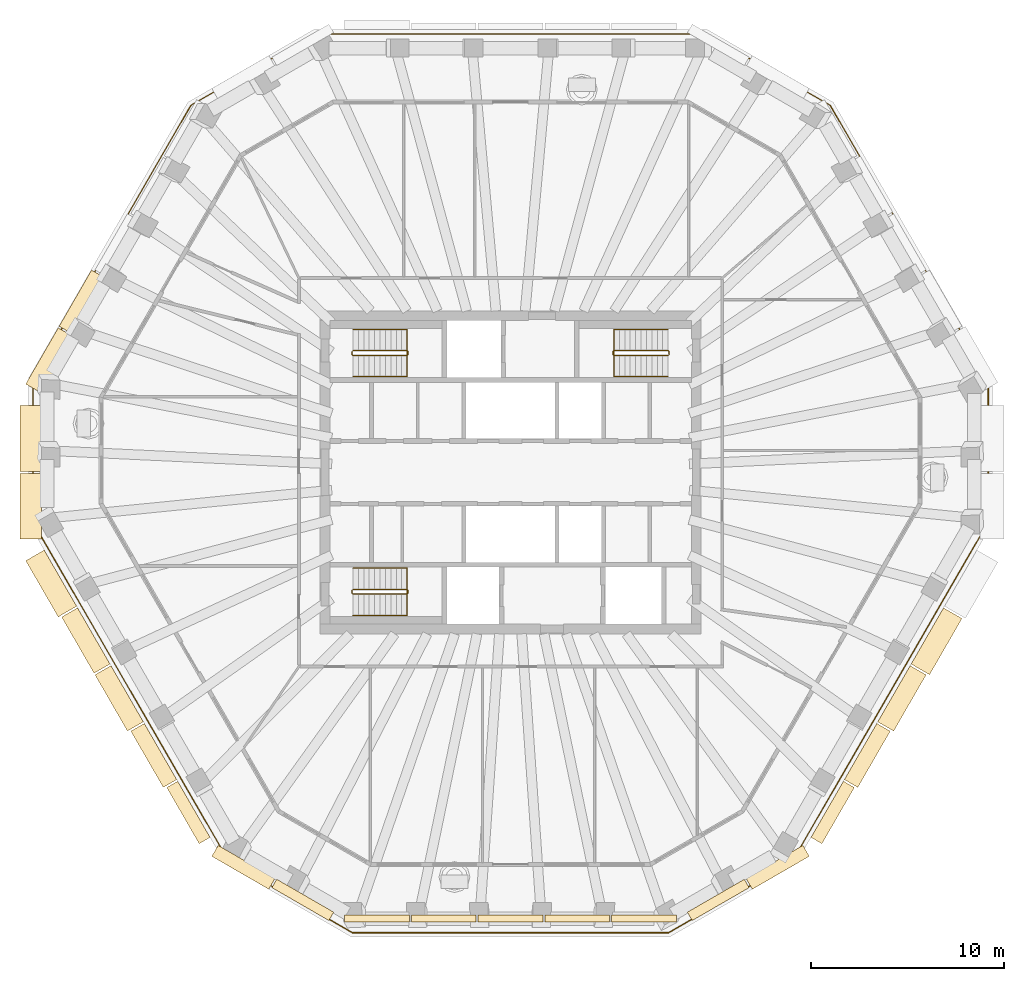
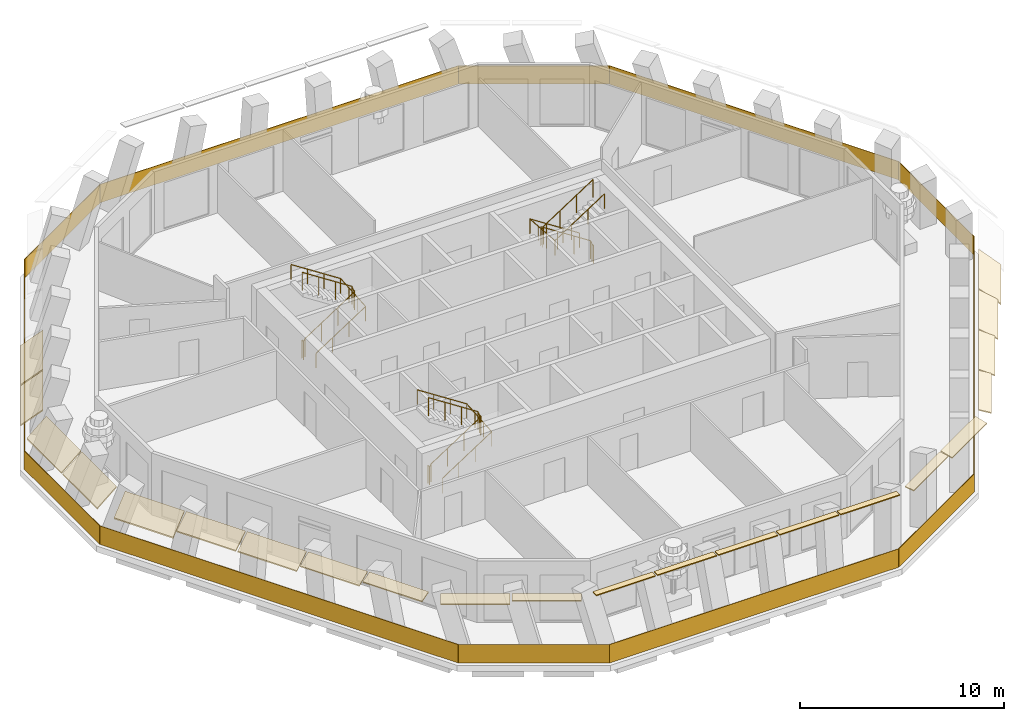
# One storey, part 8 of 11: 22 coverings, 7 railings.
"""IFC4 building model written with IfcOpenShell, lengths in metres."""

import ifcopenshell
import ifcopenshell.guid

model = None  # the IFC model being written
_history = None  # IfcOwnerHistory: only IFC2X3 demands one
_inside = {}  # id of a spatial element -> (the spatial element, [elements in it])
_under = {}  # id of a project, library or spatial element -> (it, [spatial elements below it])
_declared = {}  # id of a project -> (the project, [libraries it declares])
_typed = {}  # id of a type object -> (the type object, [elements of that type])
_made_of = {}  # id of a material, layer set ... -> (it, [elements and type objects made of it])


def new_model(schema):
    """Start an empty IFC model of exactly this schema.

    Asked for "IFC4X3", IfcOpenShell would pick the latest addendum, in which some entities
    have other attributes; the version numbers below select the first issue.
    IFC2X3 requires an IfcOwnerHistory on every rooted entity: one is made here for all.
    """
    global model, _history
    if schema == "IFC4X3":
        model = ifcopenshell.file(schema_version=(4, 3, 0, 0))
    else:
        model = ifcopenshell.file(schema=schema)
    _inside.clear()
    _under.clear()
    _declared.clear()
    _typed.clear()
    _made_of.clear()
    _history = None
    if model.schema == "IFC2X3":
        org = make("IfcOrganization", Name="unknown")
        user = make(
            "IfcPersonAndOrganization",
            ThePerson=make("IfcPerson", FamilyName="unknown"),
            TheOrganization=org,
        )
        app = make(
            "IfcApplication",
            ApplicationDeveloper=org,
            Version="unknown",
            ApplicationFullName="unknown",
            ApplicationIdentifier="unknown",
        )
        _history = make(
            "IfcOwnerHistory",
            OwningUser=user,
            OwningApplication=app,
            ChangeAction="ADDED",
            CreationDate=0,
        )
    return model


def make(cls, **values):
    """One entity of the class cls with the attributes given. An attribute that is None is left unset."""
    return model.create_entity(
        cls, **{name: value for name, value in values.items() if value is not None}
    )


def rooted(cls, **values):
    """An entity with a GlobalId (a new one), such as an element, a storey or a relation."""
    return make(cls, GlobalId=ifcopenshell.guid.new(), OwnerHistory=_history, **values)


def si_unit(unit_type, name, prefix=None):
    """IfcSIUnit, for example si_unit("LENGTHUNIT", "METRE", prefix="MILLI")."""
    return make("IfcSIUnit", UnitType=unit_type, Prefix=prefix, Name=name)


def assignment(units):
    """IfcUnitAssignment: the units of a project."""
    return None if units is None else make("IfcUnitAssignment", Units=units)


def point(xyz):
    """IfcCartesianPoint."""
    return None if xyz is None else make("IfcCartesianPoint", Coordinates=xyz)


def direction(xyz):
    """IfcDirection."""
    return None if xyz is None else make("IfcDirection", DirectionRatios=xyz)


def frame(location, z_axis=None, x_axis=None):
    """IfcAxis2Placement3D, a coordinate frame: its origin and axes. An axis left out is left unset."""
    return make(
        "IfcAxis2Placement3D",
        Location=point(location),
        Axis=direction(z_axis),
        RefDirection=direction(x_axis),
    )


def frame_2d(location, x_axis=None):
    """IfcAxis2Placement2D, a coordinate frame in the plane: its origin and x axis."""
    return make(
        "IfcAxis2Placement2D", Location=point(location), RefDirection=direction(x_axis)
    )


def origin():
    """The frame at (0, 0, 0) with its axes left unset."""
    return frame((0.0, 0.0, 0.0))


def origin_2d():
    """The frame at (0, 0) in the plane with its x axis left unset."""
    return frame_2d((0.0, 0.0))


def place(relative_to, where):
    """IfcLocalPlacement: puts the frame where relative to a parent placement (None: the world)."""
    return make(
        "IfcLocalPlacement", PlacementRelTo=relative_to, RelativePlacement=where
    )


def context(
    kind, dimensions, precision=None, world=None, true_north=None, identifier=None
):
    """IfcGeometricRepresentationContext, for example the 3D "Model" context."""
    return make(
        "IfcGeometricRepresentationContext",
        ContextIdentifier=identifier,
        ContextType=kind,
        CoordinateSpaceDimension=dimensions,
        Precision=precision,
        WorldCoordinateSystem=world,
        TrueNorth=true_north,
    )


def subcontext(parent, identifier, kind, view, scale=None):
    """IfcGeometricRepresentationSubContext, for example "Body" below "Model"."""
    return make(
        "IfcGeometricRepresentationSubContext",
        ContextIdentifier=identifier,
        ContextType=kind,
        ParentContext=parent,
        TargetScale=scale,
        TargetView=view,
    )


def project(units=None, contexts=None):
    """IfcProject with its units and contexts."""
    return rooted(
        "IfcProject",
        Name="project",
        RepresentationContexts=contexts,
        UnitsInContext=assignment(units),
    )


def spatial(cls, under=None, at=None, **own):
    """A site, building, storey or space (cls), placed at a placement, below another one or the project."""
    s = rooted(cls, ObjectPlacement=at, **own)
    if under is not None:
        _under.setdefault(under.id(), (under, []))[1].append(s)
    return s


def polyline(points):
    """IfcPolyline through the points."""
    return make("IfcPolyline", Points=[point(p) for p in points])


def profile(cls, at=None, kind="AREA", **sizes):
    """A parametric profile (cls). Its sizes go by their IFC names, for example OverallWidth=200.0."""
    return make(cls, ProfileType=kind, Position=at, **sizes)


def rectangle(**sizes):
    """IfcRectangleProfileDef."""
    return profile("IfcRectangleProfileDef", **sizes)


def circle(**sizes):
    """IfcCircleProfileDef."""
    return profile("IfcCircleProfileDef", **sizes)


def outline(outer, holes=None, kind="AREA"):
    """IfcArbitraryClosedProfileDef: a profile drawn as a closed curve; with holes, ...WithVoids."""
    if holes is None:
        return make("IfcArbitraryClosedProfileDef", ProfileType=kind, OuterCurve=outer)
    return make(
        "IfcArbitraryProfileDefWithVoids",
        ProfileType=kind,
        OuterCurve=outer,
        InnerCurves=holes,
    )


def extrude(swept, where, along, depth):
    """IfcExtrudedAreaSolid: the profile swept, set in the frame where, extruded along a direction by depth."""
    return make(
        "IfcExtrudedAreaSolid",
        SweptArea=swept,
        Position=where,
        ExtrudedDirection=direction(along),
        Depth=depth,
    )


def shape(context_of_items, identifier, shape_type, items):
    """IfcShapeRepresentation: the items that make up one representation, for example the "Body"."""
    return make(
        "IfcShapeRepresentation",
        ContextOfItems=context_of_items,
        RepresentationIdentifier=identifier,
        RepresentationType=shape_type,
        Items=items,
    )


def material(Name=None, Category=None):
    """IfcMaterial."""
    return make("IfcMaterial", Name=Name, Category=Category)


def layer(
    of_material, thickness, ventilated=None, Name=None, Category=None, Priority=None
):
    """IfcMaterialLayer: one layer of a wall or slab, of a material (None: an air gap)."""
    return make(
        "IfcMaterialLayer",
        Material=of_material,
        LayerThickness=thickness,
        IsVentilated=ventilated,
        Name=Name,
        Category=Category,
        Priority=Priority,
    )


def layer_set(layers, Name=None):
    """IfcMaterialLayerSet."""
    return make("IfcMaterialLayerSet", MaterialLayers=layers, LayerSetName=Name)


def made_of(thing, what):
    """Note that an element or type object is made of a material, layer set ...; save() writes the relation."""
    if what is not None:
        _made_of.setdefault(what.id(), (what, []))[1].append(thing)
    return thing


def type_object(cls, material=None, **own):
    """A type object (cls), such as IfcWallType, which elements share."""
    return made_of(rooted(cls, **own), material)


def element(
    cls,
    number,
    at=None,
    inside=None,
    cuts=None,
    type_object=None,
    material=None,
    context=None,
    identifier="Body",
    shape_type=None,
    held_by="IfcProductDefinitionShape",
    body=None,
    shapes=None,
    **own,
):
    """One element of the class cls, such as IfcWall. Its Tag is "e" and its number.

    at: its placement. inside: the storey or other place that contains it. cuts: it is an
    opening in that element (IfcRelVoidsElement). A single representation is given by context,
    identifier, shape_type and body (its items); several are given by shapes. held_by: the class
    of the entity that holds the representations. save() writes the other relations.
    """
    e = rooted(cls, Tag="e%d" % number, ObjectPlacement=at, **own)
    if body is not None:
        shapes = [shape(context, identifier, shape_type, body)]
    if shapes is not None:
        e.Representation = make(held_by, Representations=shapes)
    if inside is not None:
        _inside.setdefault(inside.id(), (inside, []))[1].append(e)
    if cuts is not None:
        rooted(
            "IfcRelVoidsElement", RelatingBuildingElement=cuts, RelatedOpeningElement=e
        )
    if type_object is not None:
        _typed.setdefault(type_object.id(), (type_object, []))[1].append(e)
    return made_of(e, material)


def aggregate(whole, parts):
    """IfcRelAggregates: a whole, such as a stair, and the parts it consists of."""
    return rooted("IfcRelAggregates", RelatingObject=whole, RelatedObjects=parts)


def save(model, path):
    """Write the relations noted so far, then the file.

    IfcRelAggregates (storeys below a building ...), IfcRelContainedInSpatialStructure (elements
    in a storey), IfcRelDefinesByType, IfcRelAssociatesMaterial and IfcRelDeclares: one each for
    every whole, place, type object, material and project.
    """
    for whole, parts in _under.values():
        aggregate(whole, parts)
    for where, things in _inside.values():
        rooted(
            "IfcRelContainedInSpatialStructure",
            RelatedElements=things,
            RelatingStructure=where,
        )
    for kind, things in _typed.values():
        rooted("IfcRelDefinesByType", RelatedObjects=things, RelatingType=kind)
    for what, things in _made_of.values():
        rooted("IfcRelAssociatesMaterial", RelatedObjects=things, RelatingMaterial=what)
    for by, libraries in _declared.values():
        rooted("IfcRelDeclares", RelatingContext=by, RelatedDefinitions=libraries)
    model.write(path)


model = new_model("IFC4")

# Units and contexts
model_context = context("Model", 3, precision=1e-05, world=origin(), true_north=direction((0.0, 1.0)))
body_context = subcontext(model_context, "Body", "Model", "MODEL_VIEW")
ifc_project = project(units=[si_unit("LENGTHUNIT", "METRE"), si_unit("AREAUNIT", "SQUARE_METRE"), si_unit("VOLUMEUNIT", "CUBIC_METRE"), si_unit("PLANEANGLEUNIT", "RADIAN"), si_unit("MASSUNIT", "GRAM", prefix="KILO")], contexts=[model_context])

# Site, building, storey
site_placement = place(None, origin())
site = spatial("IfcSite", under=ifc_project, at=site_placement, CompositionType="ELEMENT")
building_placement = place(site_placement, origin())
building = spatial("IfcBuilding", under=site, at=building_placement, Name="Frailejon Research Tower", CompositionType="ELEMENT")
storey_placement = place(building_placement, frame((0.0, 0.0, 299.0)))
storey = spatial("IfcBuildingStorey", under=building, at=storey_placement, Name="L66", CompositionType="ELEMENT", Elevation=299.0)

# Coverings
ifc_material_1 = material(Name="Precast concrete C50/60", Category="concrete")
ifc_layer_1 = layer(ifc_material_1, 0.06005859375)
ifc_layer_set_1 = layer_set([ifc_layer_1], Name="Brim blade depth 1100")
covering_type_1 = type_object("IfcCoveringType", Name="Brim blade depth 1100", PredefinedType="CLADDING", material=ifc_layer_set_1)
for number, where, z_axis, x_axis, name in (
    (1, (-22.395751953125, 7.009521484375, 3.85009765625), (0.499996648023, 0.86602733904, 0.0), (-0.86602733904, 0.499996648023, 0.0), "Brim blade L66"),
    (2, (-24.12158203125, 4.020263671875, 3.85009765625), (0.499996648023, 0.86602733904, 0.0), (-0.86602733904, 0.499996648023, 0.0), "Brim blade L66"),
):
    element("IfcCovering", number, at=place(storey_placement, frame(where, z_axis=z_axis, x_axis=x_axis)), inside=storey, type_object=covering_type_1, Name=name, PredefinedType="CLADDING", context=body_context, shape_type="SweptSolid", body=[
        extrude(outline(polyline([(0.0, -0.078369140625), (1.10009765625, -1.001220703125), (1.10009765625, -0.923095703125), (0.0, 0.0), (0.0, -0.078369140625)])), origin(), (0.0, 0.0, 1.0), 3.3515625),
    ])
for number, where, z_axis, x_axis, name in (
    (3, (-24.273681640625, 0.050048828125, 3.85009765625), (0.0, 1.0, 0.0), (-1.0, 0.0, 0.0), "Brim blade L66"),
    (4, (-24.273681640625, -3.451904296875, 3.85009765625), (0.0, 1.0, 0.0), (-1.0, 0.0, 0.0), "Brim blade L66"),
):
    element("IfcCovering", number, at=place(storey_placement, frame(where, z_axis=z_axis, x_axis=x_axis)), inside=storey, type_object=covering_type_1, Name=name, PredefinedType="CLADDING", context=body_context, shape_type="SweptSolid", body=[
        extrude(outline(polyline([(0.0, -0.078369140625), (1.10009765625, -1.001220703125), (1.10009765625, -0.923095703125), (0.0, 0.0), (0.0, -0.078369140625)])), origin(), (0.0, 0.0, 1.0), 3.402099609375),
    ])
for number, where, z_axis, x_axis, name in (
    (5, (-22.44580078125, -6.9228515625, 3.85009765625), (-0.499996648023, 0.86602733904, 0.0), (-0.86602733904, -0.499996648023, 0.0), "Brim blade L66"),
    (6, (22.395751953125, -7.009521484375, 3.85009765625), (-0.499996648023, -0.86602733904, 0.0), (0.86602733904, -0.499996648023, 0.0), "Brim blade L66"),
):
    element("IfcCovering", number, at=place(storey_placement, frame(where, z_axis=z_axis, x_axis=x_axis)), inside=storey, type_object=covering_type_1, Name=name, PredefinedType="CLADDING", context=body_context, shape_type="SweptSolid", body=[
        extrude(outline(polyline([(0.0, -0.078369140625), (1.10009765625, -1.001220703125), (1.10009765625, -0.923095703125), (0.0, 0.0), (0.0, -0.078369140625)])), origin(), (0.0, 0.0, 1.0), 3.3515625),
    ])
ifc_material_2 = material(Name="Precast concrete C50/60", Category="concrete")
ifc_layer_2 = layer(ifc_material_2, 0.06005859375)
ifc_layer_set_2 = layer_set([ifc_layer_2], Name="Brim blade depth 350")
covering_type_2 = type_object("IfcCoveringType", Name="Brim blade depth 350", PredefinedType="CLADDING", material=ifc_layer_set_2)
covering_1_placement = place(storey_placement, frame((-5.2275390625, -22.89990234375, 3.85009765625), z_axis=(-1.0, 0.0, 0.0), x_axis=(0.0, -1.0, 0.0)))
element("IfcCovering", 7, at=covering_1_placement, inside=storey, type_object=covering_type_2, Name="Brim blade L66", PredefinedType="CLADDING", context=body_context, shape_type="SweptSolid", body=[
    extrude(outline(polyline([(0.0, -0.06005859375), (0.35009765625, -0.06005859375), (0.35009765625, 0.0), (0.0, 0.0), (0.0, -0.06005859375)])), origin(), (0.0, 0.0, 1.0), 3.3515625),
])
covering_2_placement = place(storey_placement, frame((-1.77587890625, -22.89990234375, 3.85009765625), z_axis=(-1.0, 0.0, 0.0), x_axis=(0.0, -1.0, 0.0)))
element("IfcCovering", 8, at=covering_2_placement, inside=storey, type_object=covering_type_2, Name="Brim blade L66", PredefinedType="CLADDING", context=body_context, shape_type="SweptSolid", body=[
    extrude(outline(polyline([(0.0, -0.06005859375), (0.35009765625, -0.06005859375), (0.35009765625, 0.0), (0.0, 0.0), (0.0, -0.06005859375)])), origin(), (0.0, 0.0, 1.0), 3.351806640625),
])
covering_3_placement = place(storey_placement, frame((1.67578125, -22.89990234375, 3.85009765625), z_axis=(-1.0, 0.0, 0.0), x_axis=(0.0, -1.0, 0.0)))
element("IfcCovering", 9, at=covering_3_placement, inside=storey, type_object=covering_type_2, Name="Brim blade L66", PredefinedType="CLADDING", context=body_context, shape_type="SweptSolid", body=[
    extrude(outline(polyline([(0.0, -0.06005859375), (0.35009765625, -0.06005859375), (0.35009765625, 0.0), (0.0, 0.0), (0.0, -0.06005859375)])), origin(), (0.0, 0.0, 1.0), 3.3515625),
])
covering_4_placement = place(storey_placement, frame((5.12744140625, -22.89990234375, 3.85009765625), z_axis=(-1.0, 0.0, 0.0), x_axis=(0.0, -1.0, 0.0)))
element("IfcCovering", 10, at=covering_4_placement, inside=storey, type_object=covering_type_2, Name="Brim blade L66", PredefinedType="CLADDING", context=body_context, shape_type="SweptSolid", body=[
    extrude(outline(polyline([(0.0, -0.06005859375), (0.35009765625, -0.06005859375), (0.35009765625, 0.0), (0.0, 0.0), (0.0, -0.06005859375)])), origin(), (0.0, 0.0, 1.0), 3.351806640625),
])
covering_5_placement = place(storey_placement, frame((8.5791015625, -22.89990234375, 3.85009765625), z_axis=(-1.0, 0.0, 0.0), x_axis=(0.0, -1.0, 0.0)))
element("IfcCovering", 11, at=covering_5_placement, inside=storey, type_object=covering_type_2, Name="Brim blade L66", PredefinedType="CLADDING", context=body_context, shape_type="SweptSolid", body=[
    extrude(outline(polyline([(0.0, -0.06005859375), (0.35009765625, -0.06005859375), (0.35009765625, 0.0), (0.0, 0.0), (0.0, -0.06005859375)])), origin(), (0.0, 0.0, 1.0), 3.3515625),
])
ifc_material_3 = material(Name="Precast concrete C50/60", Category="concrete")
ifc_layer_3 = layer(ifc_material_3, 0.06005859375)
ifc_layer_set_3 = layer_set([ifc_layer_3], Name="Brim blade depth 500")
covering_type_3 = type_object("IfcCoveringType", Name="Brim blade depth 500", PredefinedType="CLADDING", material=ifc_layer_set_3)
for number, where, z_axis, x_axis, name in (
    (12, (-9.1474609375, -22.747802734375, 3.85009765625), (-0.866023907216, 0.500002592124, 0.0), (-0.500002592124, -0.866023907216, 0.0), "Brim blade L66"),
    (13, (12.093505859375, -21.046630859375, 3.85009765625), (-0.866023907216, -0.500002592124, 0.0), (0.500002592124, -0.866023907216, 0.0), "Brim blade L66"),
):
    element("IfcCovering", number, at=place(storey_placement, frame(where, z_axis=z_axis, x_axis=x_axis)), inside=storey, type_object=covering_type_3, Name=name, PredefinedType="CLADDING", context=body_context, shape_type="SweptSolid", body=[
        extrude(outline(polyline([(0.0, -0.060546875), (0.5, -0.130859375), (0.5, -0.0703125), (0.0, 0.0), (0.0, -0.060546875)])), origin(), (0.0, 0.0, 1.0), 3.402099609375),
    ])
ifc_material_4 = material(Name="Precast concrete C50/60", Category="concrete")
ifc_layer_4 = layer(ifc_material_4, 0.06005859375)
ifc_layer_set_4 = layer_set([ifc_layer_4], Name="Brim blade depth 650")
covering_type_4 = type_object("IfcCoveringType", Name="Brim blade depth 650", PredefinedType="CLADDING", material=ifc_layer_set_4)
covering_6_placement = place(storey_placement, frame((-15.54248046875, -18.879638671875, 3.85009765625), z_axis=(-0.499996648023, 0.86602733904, 0.0), x_axis=(-0.86602733904, -0.499996648023, 0.0)))
element("IfcCovering", 14, at=covering_6_placement, inside=storey, type_object=covering_type_4, Name="Brim blade L66", PredefinedType="CLADDING", context=body_context, shape_type="SweptSolid", body=[
    extrude(outline(polyline([(0.0, -0.0625), (0.64990234375, -0.248779296875), (0.64990234375, -0.186279296875), (0.0, 0.0), (0.0, -0.0625)])), origin(), (0.0, 0.0, 1.0), 3.3515625),
])
for number, where, z_axis, x_axis, name in (
    (15, (-12.18017578125, -20.99658203125, 3.85009765625), (-0.866023907216, 0.500002592124, 0.0), (-0.500002592124, -0.866023907216, 0.0), "Brim blade L66"),
    (16, (15.12646484375, -19.295654296875, 3.85009765625), (-0.866023907216, -0.500002592124, 0.0), (0.500002592124, -0.866023907216, 0.0), "Brim blade L66"),
):
    element("IfcCovering", number, at=place(storey_placement, frame(where, z_axis=z_axis, x_axis=x_axis)), inside=storey, type_object=covering_type_4, Name=name, PredefinedType="CLADDING", context=body_context, shape_type="SweptSolid", body=[
        extrude(outline(polyline([(0.0, -0.0625), (0.64990234375, -0.248779296875), (0.64990234375, -0.186279296875), (0.0, 0.0), (0.0, -0.0625)])), origin(), (0.0, 0.0, 1.0), 3.402099609375),
    ])
covering_7_placement = place(storey_placement, frame((17.21826171875, -15.97705078125, 3.85009765625), z_axis=(-0.499996648023, -0.86602733904, 0.0), x_axis=(0.86602733904, -0.499996648023, 0.0)))
element("IfcCovering", 17, at=covering_7_placement, inside=storey, type_object=covering_type_4, Name="Brim blade L66", PredefinedType="CLADDING", context=body_context, shape_type="SweptSolid", body=[
    extrude(outline(polyline([(0.0, -0.0625), (0.64990234375, -0.248779296875), (0.64990234375, -0.186279296875), (0.0, 0.0), (0.0, -0.0625)])), origin(), (0.0, 0.0, 1.0), 3.3515625),
])
ifc_material_5 = material(Name="Precast concrete C50/60", Category="concrete")
ifc_layer_5 = layer(ifc_material_5, 0.06005859375)
ifc_layer_set_5 = layer_set([ifc_layer_5], Name="Brim blade depth 800")
covering_type_5 = type_object("IfcCoveringType", Name="Brim blade depth 800", PredefinedType="CLADDING", material=ifc_layer_set_5)
for number, where, z_axis, x_axis, name in (
    (18, (-17.268310546875, -15.890380859375, 3.85009765625), (-0.499996648023, 0.86602733904, 0.0), (-0.86602733904, -0.499996648023, 0.0), "Brim blade L66"),
    (19, (18.944091796875, -12.98779296875, 3.85009765625), (-0.499996648023, -0.86602733904, 0.0), (0.86602733904, -0.499996648023, 0.0), "Brim blade L66"),
):
    element("IfcCovering", number, at=place(storey_placement, frame(where, z_axis=z_axis, x_axis=x_axis)), inside=storey, type_object=covering_type_5, Name=name, PredefinedType="CLADDING", context=body_context, shape_type="SweptSolid", body=[
        extrude(outline(polyline([(0.0, -0.065673828125), (0.800048828125, -0.421875), (0.800048828125, -0.356201171875), (0.0, 0.0), (0.0, -0.065673828125)])), origin(), (0.0, 0.0, 1.0), 3.3515625),
    ])
ifc_material_6 = material(Name="Precast concrete C50/60", Category="concrete")
ifc_layer_6 = layer(ifc_material_6, 0.06005859375)
ifc_layer_set_6 = layer_set([ifc_layer_6], Name="Brim blade depth 950")
covering_type_6 = type_object("IfcCoveringType", Name="Brim blade depth 950", PredefinedType="CLADDING", material=ifc_layer_set_6)
covering_8_placement = place(storey_placement, frame((-20.719970703125, -9.912109375, 3.85009765625), z_axis=(-0.499996648023, 0.86602733904, 0.0), x_axis=(-0.86602733904, -0.499996648023, 0.0)))
element("IfcCovering", 20, at=covering_8_placement, inside=storey, type_object=covering_type_6, Name="Brim blade L66", PredefinedType="CLADDING", context=body_context, shape_type="SweptSolid", body=[
    extrude(outline(polyline([(0.0, -0.07080078125), (0.949951171875, -0.664306640625), (0.949951171875, -0.593505859375), (0.0, 0.0), (0.0, -0.07080078125)])), origin(), (0.0, 0.0, 1.0), 3.3515625),
])
for number, where, z_axis, x_axis, name in (
    (21, (-18.993896484375, -12.9013671875, 3.85009765625), (-0.500018376809, 0.866014793669, 0.0), (-0.866014793669, -0.500018376809, 0.0), "Brim blade L66"),
    (22, (20.669921875, -9.998779296875, 3.85009765625), (-0.500018376809, -0.866014793669, 0.0), (0.866014793669, -0.500018376809, 0.0), "Brim blade L66"),
):
    element("IfcCovering", number, at=place(storey_placement, frame(where, z_axis=z_axis, x_axis=x_axis)), inside=storey, type_object=covering_type_6, Name=name, PredefinedType="CLADDING", context=body_context, shape_type="SweptSolid", body=[
        extrude(outline(polyline([(0.0, -0.07080078125), (0.949951171875, -0.664306640625), (0.949951171875, -0.593505859375), (0.0, 0.0), (0.0, -0.07080078125)])), origin(), (0.0, 0.0, 1.0), 3.351806640625),
    ])

# Railings
ifc_material_7 = material(Name="Laminated glass balustrade", Category="glass")
railing_type_1 = type_object("IfcRailingType", Name="Glass guard 1100", PredefinedType="GUARDRAIL", material=ifc_material_7)
railing_1_placement = place(storey_placement, frame((24.708740234375, -2.566650390625, 0.0)))
element("IfcRailing", 23, at=railing_1_placement, inside=storey, type_object=railing_type_1, Name="Loggia guard L66", PredefinedType="GUARDRAIL", context=body_context, shape_type="SweptSolid", body=[
    extrude(rectangle(XDim=7.39599609375, YDim=0.030029296875, at=origin_2d()), frame((0.0, 3.697998046875, 0.0), z_axis=(0.0, 0.0, 1.0), x_axis=(0.0, 1.0, 0.0)), (0.0, 0.0, 1.0), 1.10009765625),
    extrude(rectangle(XDim=16.34423828125, YDim=0.030029296875, at=origin_2d()), frame((-4.0859375, 14.47314453125, 0.0), z_axis=(0.0, 0.0, 1.0), x_axis=(-0.499988387271, 0.866032108293, 0.0)), (0.0, 0.0, 1.0), 1.10009765625),
    extrude(rectangle(XDim=7.396240234375, YDim=0.030029296875, at=origin_2d()), frame((-11.37451171875, 23.3994140625, 0.0), z_axis=(0.0, 0.0, 1.0), x_axis=(-0.866030573133, 0.49999104632, 0.0)), (0.0, 0.0, 1.0), 1.10009765625),
    extrude(rectangle(XDim=20.26318359375, YDim=0.030029296875, at=origin_2d()), frame((-24.708740234375, 25.24853515625, 0.0), z_axis=(0.0, 0.0, 1.0), x_axis=(-1.0, 0.0, 0.0)), (0.0, 0.0, 1.0), 1.10009765625),
    extrude(rectangle(XDim=7.396240234375, YDim=0.030029296875, at=origin_2d()), frame((-38.04296875, 23.3994140625, 0.0), z_axis=(0.0, 0.0, 1.0), x_axis=(-0.866030573133, -0.49999104632, 0.0)), (0.0, 0.0, 1.0), 1.10009765625),
    extrude(rectangle(XDim=16.34423828125, YDim=0.030029296875, at=origin_2d()), frame((-45.33154296875, 14.47314453125, 0.0), z_axis=(0.0, 0.0, 1.0), x_axis=(-0.499988387271, -0.866032108293, 0.0)), (0.0, 0.0, 1.0), 1.10009765625),
    extrude(rectangle(XDim=7.39599609375, YDim=0.030029296875, at=origin_2d()), frame((-49.41748046875, 3.697998046875, 0.0), z_axis=(0.0, 0.0, 1.0), x_axis=(0.0, -1.0, 0.0)), (0.0, 0.0, 1.0), 1.10009765625),
    extrude(rectangle(XDim=20.262939453125, YDim=0.030029296875, at=origin_2d()), frame((-44.351806640625, -8.774169921875, 0.0), z_axis=(0.0, 0.0, 1.0), x_axis=(0.499992927615, -0.866029486989, 0.0)), (0.0, 0.0, 1.0), 1.10009765625),
    extrude(rectangle(XDim=7.396240234375, YDim=0.030029296875, at=origin_2d()), frame((-36.08349609375, -19.3974609375, 0.0), z_axis=(0.0, 0.0, 1.0), x_axis=(0.866016279763, -0.500015802937, 0.0)), (0.0, 0.0, 1.0), 1.10009765625),
    extrude(rectangle(XDim=16.34423828125, YDim=0.030029296875, at=origin_2d()), frame((-24.708740234375, -21.24658203125, 0.0), z_axis=(0.0, 0.0, 1.0), x_axis=(1.0, 0.0, 0.0)), (0.0, 0.0, 1.0), 1.10009765625),
    extrude(rectangle(XDim=7.396240234375, YDim=0.030029296875, at=origin_2d()), frame((-13.333984375, -19.3974609375, 0.0), z_axis=(0.0, 0.0, 1.0), x_axis=(0.866016279763, 0.500015802937, 0.0)), (0.0, 0.0, 1.0), 1.10009765625),
    extrude(rectangle(XDim=20.193115234375, YDim=0.030029296875, at=origin_2d()), frame((-5.0830078125, -8.804443359375, 0.0), z_axis=(0.0, 0.0, 1.0), x_axis=(0.499994561329, 0.86602854378, 0.0)), (0.0, 0.0, 1.0), 1.10009765625),
])
ifc_material_8 = material(Name="Stainless steel", Category="steel")
railing_type_2 = type_object("IfcRailingType", Name="Stair guard 1100", PredefinedType="GUARDRAIL", material=ifc_material_8)
railing_2_placement = place(storey_placement, frame((-8.199951171875, 6.25, 0.0)))
element("IfcRailing", 24, at=railing_2_placement, inside=storey, type_object=railing_type_2, Name="L66 ST1 stair guard 1", PredefinedType="GUARDRAIL", context=body_context, shape_type="SweptSolid", body=[
    extrude(circle(Radius=0.02392578125, at=origin_2d()), frame((0.0, 0.0, 1.076171875), z_axis=(0.0, -1.0, 0.0), x_axis=(1.0, 0.0, 0.0)), (0.0, 0.0, 1.0), 0.14990234375),
    extrude(circle(Radius=0.02392578125, at=origin_2d()), frame((0.0, -0.14990234375, 1.076171875), z_axis=(0.256435381639, -0.256435381639, 0.931923704005), x_axis=(0.707106781187, 0.707106781187, 0.0)), (0.0, 0.0, 1.0), 0.195068359375),
    extrude(circle(Radius=0.02392578125, at=origin_2d()), frame((0.050048828125, -0.199951171875, 1.2578125), z_axis=(0.83868413941, 0.0, 0.544618136222), x_axis=(0.0, 1.0, 0.0)), (0.0, 0.0, 1.0), 3.33837890625),
    extrude(circle(Radius=0.02392578125, at=origin_2d()), frame((2.849853515625, -0.199951171875, 3.076171875), z_axis=(0.707106781187, 0.707106781187, 0.0), x_axis=(-0.707106781187, 0.707106781187, 0.0)), (0.0, 0.0, 1.0), 0.07080078125),
    extrude(circle(Radius=0.02392578125, at=origin_2d()), frame((2.89990234375, -0.14990234375, 3.076171875), z_axis=(0.0, 1.0, 0.0), x_axis=(-1.0, 0.0, 0.0)), (0.0, 0.0, 1.0), 0.14990234375),
    extrude(circle(Radius=0.02392578125, at=origin_2d()), frame((2.89990234375, 0.0, 3.076171875), z_axis=(-0.256435381639, 0.256435381639, 0.931923704005), x_axis=(-0.707106781187, -0.707106781187, 0.0)), (0.0, 0.0, 1.0), 0.195068359375),
    extrude(circle(Radius=0.02392578125, at=origin_2d()), frame((2.849853515625, 0.050048828125, 3.2578125), z_axis=(-0.83868413941, 0.0, 0.544618136222), x_axis=(0.0, -1.0, 0.0)), (0.0, 0.0, 1.0), 3.33837890625),
    extrude(circle(Radius=0.02099609375, at=origin_2d()), origin(), (0.0, 0.0, 1.0), 1.052001953125),
    extrude(circle(Radius=0.02099609375, at=origin_2d()), frame((0.0, -0.14990234375, 0.0)), (0.0, 0.0, 1.0), 1.052001953125),
    extrude(circle(Radius=0.02099609375, at=origin_2d()), frame((0.050048828125, -0.199951171875, 0.181884765625)), (0.0, 0.0, 1.0), 1.052001953125),
    extrude(circle(Radius=0.02099609375, at=origin_2d()), frame((0.9833984375, -0.199951171875, 0.787841796875)), (0.0, 0.0, 1.0), 1.052001953125),
    extrude(circle(Radius=0.02099609375, at=origin_2d()), frame((1.91650390625, -0.199951171875, 1.39404296875)), (0.0, 0.0, 1.0), 1.052001953125),
    extrude(circle(Radius=0.02099609375, at=origin_2d()), frame((2.849853515625, -0.199951171875, 2.0)), (0.0, 0.0, 1.0), 1.052001953125),
    extrude(circle(Radius=0.02099609375, at=origin_2d()), frame((2.89990234375, -0.14990234375, 2.0)), (0.0, 0.0, 1.0), 1.052001953125),
    extrude(circle(Radius=0.02099609375, at=origin_2d()), frame((2.89990234375, 0.0, 2.0)), (0.0, 0.0, 1.0), 1.052001953125),
    extrude(circle(Radius=0.02099609375, at=origin_2d()), frame((2.849853515625, 0.050048828125, 2.181884765625)), (0.0, 0.0, 1.0), 1.052001953125),
    extrude(circle(Radius=0.02099609375, at=origin_2d()), frame((1.91650390625, 0.050048828125, 2.787841796875)), (0.0, 0.0, 1.0), 1.052001953125),
    extrude(circle(Radius=0.02099609375, at=origin_2d()), frame((0.9833984375, 0.050048828125, 3.39404296875)), (0.0, 0.0, 1.0), 1.052001953125),
    extrude(circle(Radius=0.02099609375, at=origin_2d()), frame((0.050048828125, 0.050048828125, 4.0)), (0.0, 0.0, 1.0), 1.052001953125),
])
railing_3_placement = place(storey_placement, frame((-8.199951171875, -6.10009765625, 0.0)))
element("IfcRailing", 25, at=railing_3_placement, inside=storey, type_object=railing_type_2, Name="L66 ST2 stair guard 1", PredefinedType="GUARDRAIL", context=body_context, shape_type="SweptSolid", body=[
    extrude(circle(Radius=0.02392578125, at=origin_2d()), frame((0.0, 0.0, 1.076171875), z_axis=(0.0, -1.0, 0.0), x_axis=(1.0, 0.0, 0.0)), (0.0, 0.0, 1.0), 0.14990234375),
    extrude(circle(Radius=0.02392578125, at=origin_2d()), frame((0.0, -0.14990234375, 1.076171875), z_axis=(0.256435381639, -0.256435381639, 0.931923704005), x_axis=(0.707106781187, 0.707106781187, 0.0)), (0.0, 0.0, 1.0), 0.195068359375),
    extrude(circle(Radius=0.02392578125, at=origin_2d()), frame((0.050048828125, -0.199951171875, 1.2578125), z_axis=(0.83868413941, 0.0, 0.544618136222), x_axis=(0.0, 1.0, 0.0)), (0.0, 0.0, 1.0), 3.33837890625),
    extrude(circle(Radius=0.02392578125, at=origin_2d()), frame((2.849853515625, -0.199951171875, 3.076171875), z_axis=(0.707106781187, 0.707106781187, 0.0), x_axis=(-0.707106781187, 0.707106781187, 0.0)), (0.0, 0.0, 1.0), 0.07080078125),
    extrude(circle(Radius=0.02392578125, at=origin_2d()), frame((2.89990234375, -0.14990234375, 3.076171875), z_axis=(0.0, 1.0, 0.0), x_axis=(-1.0, 0.0, 0.0)), (0.0, 0.0, 1.0), 0.14990234375),
    extrude(circle(Radius=0.02392578125, at=origin_2d()), frame((2.89990234375, 0.0, 3.076171875), z_axis=(-0.256435381639, 0.256435381639, 0.931923704005), x_axis=(-0.707106781187, -0.707106781187, 0.0)), (0.0, 0.0, 1.0), 0.195068359375),
    extrude(circle(Radius=0.02392578125, at=origin_2d()), frame((2.849853515625, 0.050048828125, 3.2578125), z_axis=(-0.83868413941, 0.0, 0.544618136222), x_axis=(0.0, -1.0, 0.0)), (0.0, 0.0, 1.0), 3.33837890625),
    extrude(circle(Radius=0.02099609375, at=origin_2d()), origin(), (0.0, 0.0, 1.0), 1.052001953125),
    extrude(circle(Radius=0.02099609375, at=origin_2d()), frame((0.0, -0.14990234375, 0.0)), (0.0, 0.0, 1.0), 1.052001953125),
    extrude(circle(Radius=0.02099609375, at=origin_2d()), frame((0.050048828125, -0.199951171875, 0.181884765625)), (0.0, 0.0, 1.0), 1.052001953125),
    extrude(circle(Radius=0.02099609375, at=origin_2d()), frame((0.9833984375, -0.199951171875, 0.787841796875)), (0.0, 0.0, 1.0), 1.052001953125),
    extrude(circle(Radius=0.02099609375, at=origin_2d()), frame((1.91650390625, -0.199951171875, 1.39404296875)), (0.0, 0.0, 1.0), 1.052001953125),
    extrude(circle(Radius=0.02099609375, at=origin_2d()), frame((2.849853515625, -0.199951171875, 2.0)), (0.0, 0.0, 1.0), 1.052001953125),
    extrude(circle(Radius=0.02099609375, at=origin_2d()), frame((2.89990234375, -0.14990234375, 2.0)), (0.0, 0.0, 1.0), 1.052001953125),
    extrude(circle(Radius=0.02099609375, at=origin_2d()), frame((2.89990234375, 0.0, 2.0)), (0.0, 0.0, 1.0), 1.052001953125),
    extrude(circle(Radius=0.02099609375, at=origin_2d()), frame((2.849853515625, 0.050048828125, 2.181884765625)), (0.0, 0.0, 1.0), 1.052001953125),
    extrude(circle(Radius=0.02099609375, at=origin_2d()), frame((1.91650390625, 0.050048828125, 2.787841796875)), (0.0, 0.0, 1.0), 1.052001953125),
    extrude(circle(Radius=0.02099609375, at=origin_2d()), frame((0.9833984375, 0.050048828125, 3.39404296875)), (0.0, 0.0, 1.0), 1.052001953125),
    extrude(circle(Radius=0.02099609375, at=origin_2d()), frame((0.050048828125, 0.050048828125, 4.0)), (0.0, 0.0, 1.0), 1.052001953125),
])
railing_4_placement = place(storey_placement, frame((8.199951171875, 6.10009765625, 0.0)))
element("IfcRailing", 26, at=railing_4_placement, inside=storey, type_object=railing_type_2, Name="L66 ST3 stair guard 1", PredefinedType="GUARDRAIL", context=body_context, shape_type="SweptSolid", body=[
    extrude(circle(Radius=0.02392578125, at=origin_2d()), frame((0.0, 0.0, 1.076171875), z_axis=(0.0, 1.0, 0.0), x_axis=(-1.0, 0.0, 0.0)), (0.0, 0.0, 1.0), 0.14990234375),
    extrude(circle(Radius=0.02392578125, at=origin_2d()), frame((0.0, 0.14990234375, 1.076171875), z_axis=(-0.256435381639, 0.256435381639, 0.931923704005), x_axis=(-0.707106781187, -0.707106781187, 0.0)), (0.0, 0.0, 1.0), 0.195068359375),
    extrude(circle(Radius=0.02392578125, at=origin_2d()), frame((-0.050048828125, 0.199951171875, 1.2578125), z_axis=(-0.83868413941, 0.0, 0.544618136222), x_axis=(0.0, -1.0, 0.0)), (0.0, 0.0, 1.0), 3.33837890625),
    extrude(circle(Radius=0.02392578125, at=origin_2d()), frame((-2.849853515625, 0.199951171875, 3.076171875), z_axis=(-0.707106781187, -0.707106781187, 0.0), x_axis=(0.707106781187, -0.707106781187, 0.0)), (0.0, 0.0, 1.0), 0.07080078125),
    extrude(circle(Radius=0.02392578125, at=origin_2d()), frame((-2.89990234375, 0.14990234375, 3.076171875), z_axis=(0.0, -1.0, 0.0), x_axis=(1.0, 0.0, 0.0)), (0.0, 0.0, 1.0), 0.14990234375),
    extrude(circle(Radius=0.02392578125, at=origin_2d()), frame((-2.89990234375, 0.0, 3.076171875), z_axis=(0.256435381639, -0.256435381639, 0.931923704005), x_axis=(0.707106781187, 0.707106781187, 0.0)), (0.0, 0.0, 1.0), 0.195068359375),
    extrude(circle(Radius=0.02392578125, at=origin_2d()), frame((-2.849853515625, -0.050048828125, 3.2578125), z_axis=(0.83868413941, 0.0, 0.544618136222), x_axis=(0.0, 1.0, 0.0)), (0.0, 0.0, 1.0), 3.33837890625),
    extrude(circle(Radius=0.02099609375, at=origin_2d()), origin(), (0.0, 0.0, 1.0), 1.052001953125),
    extrude(circle(Radius=0.02099609375, at=origin_2d()), frame((0.0, 0.14990234375, 0.0)), (0.0, 0.0, 1.0), 1.052001953125),
    extrude(circle(Radius=0.02099609375, at=origin_2d()), frame((-0.050048828125, 0.199951171875, 0.181884765625)), (0.0, 0.0, 1.0), 1.052001953125),
    extrude(circle(Radius=0.02099609375, at=origin_2d()), frame((-0.9833984375, 0.199951171875, 0.787841796875)), (0.0, 0.0, 1.0), 1.052001953125),
    extrude(circle(Radius=0.02099609375, at=origin_2d()), frame((-1.91650390625, 0.199951171875, 1.39404296875)), (0.0, 0.0, 1.0), 1.052001953125),
    extrude(circle(Radius=0.02099609375, at=origin_2d()), frame((-2.849853515625, 0.199951171875, 2.0)), (0.0, 0.0, 1.0), 1.052001953125),
    extrude(circle(Radius=0.02099609375, at=origin_2d()), frame((-2.89990234375, 0.14990234375, 2.0)), (0.0, 0.0, 1.0), 1.052001953125),
    extrude(circle(Radius=0.02099609375, at=origin_2d()), frame((-2.89990234375, 0.0, 2.0)), (0.0, 0.0, 1.0), 1.052001953125),
    extrude(circle(Radius=0.02099609375, at=origin_2d()), frame((-2.849853515625, -0.050048828125, 2.181884765625)), (0.0, 0.0, 1.0), 1.052001953125),
    extrude(circle(Radius=0.02099609375, at=origin_2d()), frame((-1.91650390625, -0.050048828125, 2.787841796875)), (0.0, 0.0, 1.0), 1.052001953125),
    extrude(circle(Radius=0.02099609375, at=origin_2d()), frame((-0.9833984375, -0.050048828125, 3.39404296875)), (0.0, 0.0, 1.0), 1.052001953125),
    extrude(circle(Radius=0.02099609375, at=origin_2d()), frame((-0.050048828125, -0.050048828125, 4.0)), (0.0, 0.0, 1.0), 1.052001953125),
])
ifc_material_9 = material(Name="Stainless steel", Category="steel")
railing_type_3 = type_object("IfcRailingType", Name="Stair handrail 900", PredefinedType="HANDRAIL", material=ifc_material_9)
railing_5_placement = place(storey_placement, frame((-8.14990234375, 4.949951171875, 0.181884765625)))
element("IfcRailing", 27, at=railing_5_placement, inside=storey, type_object=railing_type_3, Name="L66 ST1 stair handrail 1", PredefinedType="HANDRAIL", context=body_context, shape_type="SweptSolid", body=[
    extrude(circle(Radius=0.02392578125, at=origin_2d()), frame((0.0, 0.0, 0.8759765625), z_axis=(0.83868413941, 0.0, 0.544618136222), x_axis=(0.0, 1.0, 0.0)), (0.0, 0.0, 1.0), 3.33837890625),
    extrude(circle(Radius=0.02392578125, at=origin_2d()), frame((2.7998046875, 0.0, 2.69384765625), z_axis=(0.0, 0.997255538948, 0.074036410216), x_axis=(-1.0, 0.0, 0.0)), (0.0, 0.0, 1.0), 2.456787109375),
    extrude(circle(Radius=0.02392578125, at=origin_2d()), frame((2.7998046875, 2.449951171875, 2.8759765625), z_axis=(-0.83868413941, 0.0, 0.544618136222), x_axis=(0.0, -1.0, 0.0)), (0.0, 0.0, 1.0), 3.33837890625),
    extrude(circle(Radius=0.02099609375, at=origin_2d()), origin(), (0.0, 0.0, 1.0), 0.851806640625),
    extrude(circle(Radius=0.02099609375, at=origin_2d()), frame((0.933349609375, 0.0, 0.60595703125)), (0.0, 0.0, 1.0), 0.851806640625),
    extrude(circle(Radius=0.02099609375, at=origin_2d()), frame((1.866455078125, 0.0, 1.212158203125)), (0.0, 0.0, 1.0), 0.851806640625),
    extrude(circle(Radius=0.02099609375, at=origin_2d()), frame((2.7998046875, 0.0, 1.818115234375)), (0.0, 0.0, 1.0), 0.851806640625),
    extrude(circle(Radius=0.02099609375, at=origin_2d()), frame((2.7998046875, 0.816650390625, 1.878662109375)), (0.0, 0.0, 1.0), 0.851806640625),
    extrude(circle(Radius=0.02099609375, at=origin_2d()), frame((2.7998046875, 1.63330078125, 1.939453125)), (0.0, 0.0, 1.0), 0.851806640625),
    extrude(circle(Radius=0.02099609375, at=origin_2d()), frame((2.7998046875, 2.449951171875, 2.0)), (0.0, 0.0, 1.0), 0.851806640625),
    extrude(circle(Radius=0.02099609375, at=origin_2d()), frame((1.866455078125, 2.449951171875, 2.60595703125)), (0.0, 0.0, 1.0), 0.851806640625),
    extrude(circle(Radius=0.02099609375, at=origin_2d()), frame((0.933349609375, 2.449951171875, 3.212158203125)), (0.0, 0.0, 1.0), 0.851806640625),
    extrude(circle(Radius=0.02099609375, at=origin_2d()), frame((0.0, 2.449951171875, 3.818115234375)), (0.0, 0.0, 1.0), 0.851806640625),
])
railing_6_placement = place(storey_placement, frame((-8.14990234375, -7.39990234375, 0.181884765625)))
element("IfcRailing", 28, at=railing_6_placement, inside=storey, type_object=railing_type_3, Name="L66 ST2 stair handrail 1", PredefinedType="HANDRAIL", context=body_context, shape_type="SweptSolid", body=[
    extrude(circle(Radius=0.02392578125, at=origin_2d()), frame((0.0, 0.0, 0.8759765625), z_axis=(0.83868413941, 0.0, 0.544618136222), x_axis=(0.0, 1.0, 0.0)), (0.0, 0.0, 1.0), 3.33837890625),
    extrude(circle(Radius=0.02392578125, at=origin_2d()), frame((2.7998046875, 0.0, 2.69384765625), z_axis=(0.0, 0.997255538948, 0.074036410216), x_axis=(-1.0, 0.0, 0.0)), (0.0, 0.0, 1.0), 2.456787109375),
    extrude(circle(Radius=0.02392578125, at=origin_2d()), frame((2.7998046875, 2.449951171875, 2.8759765625), z_axis=(-0.83868413941, 0.0, 0.544618136222), x_axis=(0.0, -1.0, 0.0)), (0.0, 0.0, 1.0), 3.33837890625),
    extrude(circle(Radius=0.02099609375, at=origin_2d()), origin(), (0.0, 0.0, 1.0), 0.851806640625),
    extrude(circle(Radius=0.02099609375, at=origin_2d()), frame((0.933349609375, 0.0, 0.60595703125)), (0.0, 0.0, 1.0), 0.851806640625),
    extrude(circle(Radius=0.02099609375, at=origin_2d()), frame((1.866455078125, 0.0, 1.212158203125)), (0.0, 0.0, 1.0), 0.851806640625),
    extrude(circle(Radius=0.02099609375, at=origin_2d()), frame((2.7998046875, 0.0, 1.818115234375)), (0.0, 0.0, 1.0), 0.851806640625),
    extrude(circle(Radius=0.02099609375, at=origin_2d()), frame((2.7998046875, 0.816650390625, 1.878662109375)), (0.0, 0.0, 1.0), 0.851806640625),
    extrude(circle(Radius=0.02099609375, at=origin_2d()), frame((2.7998046875, 1.63330078125, 1.939453125)), (0.0, 0.0, 1.0), 0.851806640625),
    extrude(circle(Radius=0.02099609375, at=origin_2d()), frame((2.7998046875, 2.449951171875, 2.0)), (0.0, 0.0, 1.0), 0.851806640625),
    extrude(circle(Radius=0.02099609375, at=origin_2d()), frame((1.866455078125, 2.449951171875, 2.60595703125)), (0.0, 0.0, 1.0), 0.851806640625),
    extrude(circle(Radius=0.02099609375, at=origin_2d()), frame((0.933349609375, 2.449951171875, 3.212158203125)), (0.0, 0.0, 1.0), 0.851806640625),
    extrude(circle(Radius=0.02099609375, at=origin_2d()), frame((0.0, 2.449951171875, 3.818115234375)), (0.0, 0.0, 1.0), 0.851806640625),
])
railing_7_placement = place(storey_placement, frame((8.14990234375, 7.39990234375, 0.181884765625)))
element("IfcRailing", 29, at=railing_7_placement, inside=storey, type_object=railing_type_3, Name="L66 ST3 stair handrail 1", PredefinedType="HANDRAIL", context=body_context, shape_type="SweptSolid", body=[
    extrude(circle(Radius=0.02392578125, at=origin_2d()), frame((0.0, 0.0, 0.8759765625), z_axis=(-0.83868413941, 0.0, 0.544618136222), x_axis=(0.0, -1.0, 0.0)), (0.0, 0.0, 1.0), 3.33837890625),
    extrude(circle(Radius=0.02392578125, at=origin_2d()), frame((-2.7998046875, 0.0, 2.69384765625), z_axis=(0.0, -0.997255538948, 0.074036410216), x_axis=(1.0, 0.0, 0.0)), (0.0, 0.0, 1.0), 2.456787109375),
    extrude(circle(Radius=0.02392578125, at=origin_2d()), frame((-2.7998046875, -2.449951171875, 2.8759765625), z_axis=(0.83868413941, 0.0, 0.544618136222), x_axis=(0.0, 1.0, 0.0)), (0.0, 0.0, 1.0), 3.33837890625),
    extrude(circle(Radius=0.02099609375, at=origin_2d()), origin(), (0.0, 0.0, 1.0), 0.851806640625),
    extrude(circle(Radius=0.02099609375, at=origin_2d()), frame((-0.933349609375, 0.0, 0.60595703125)), (0.0, 0.0, 1.0), 0.851806640625),
    extrude(circle(Radius=0.02099609375, at=origin_2d()), frame((-1.866455078125, 0.0, 1.212158203125)), (0.0, 0.0, 1.0), 0.851806640625),
    extrude(circle(Radius=0.02099609375, at=origin_2d()), frame((-2.7998046875, 0.0, 1.818115234375)), (0.0, 0.0, 1.0), 0.851806640625),
    extrude(circle(Radius=0.02099609375, at=origin_2d()), frame((-2.7998046875, -0.816650390625, 1.878662109375)), (0.0, 0.0, 1.0), 0.851806640625),
    extrude(circle(Radius=0.02099609375, at=origin_2d()), frame((-2.7998046875, -1.63330078125, 1.939453125)), (0.0, 0.0, 1.0), 0.851806640625),
    extrude(circle(Radius=0.02099609375, at=origin_2d()), frame((-2.7998046875, -2.449951171875, 2.0)), (0.0, 0.0, 1.0), 0.851806640625),
    extrude(circle(Radius=0.02099609375, at=origin_2d()), frame((-1.866455078125, -2.449951171875, 2.60595703125)), (0.0, 0.0, 1.0), 0.851806640625),
    extrude(circle(Radius=0.02099609375, at=origin_2d()), frame((-0.933349609375, -2.449951171875, 3.212158203125)), (0.0, 0.0, 1.0), 0.851806640625),
    extrude(circle(Radius=0.02099609375, at=origin_2d()), frame((0.0, -2.449951171875, 3.818115234375)), (0.0, 0.0, 1.0), 0.851806640625),
])

save(model, "model.ifc")
